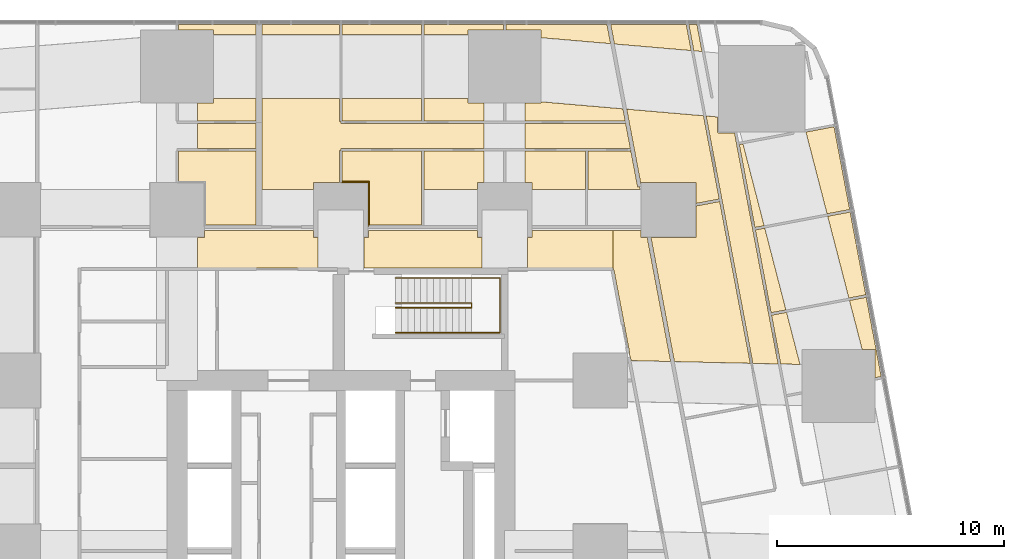
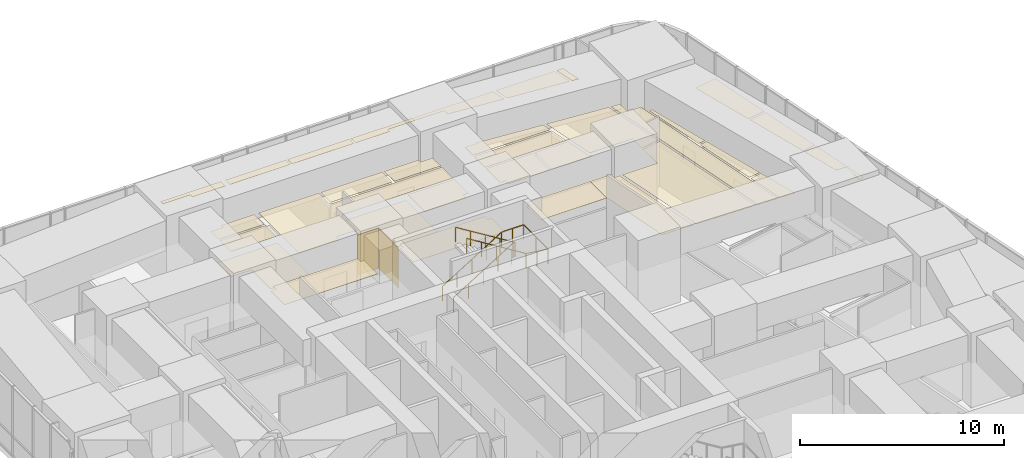
# One storey, part 23 of 23: 33 coverings, 2 railings.
"""IFC4 building model written with IfcOpenShell, lengths in metres."""

from ifc_helpers import new_model, si_unit, direction, frame, origin, origin_2d, place, context, subcontext, project, spatial, polyline, circle, outline, extrude, material, layer, layer_set, type_object, element, save


model = new_model("IFC4")

# Units and contexts
model_context = context("Model", 3, precision=1e-05, world=origin(), true_north=direction((0.0, 1.0)))
body_context = subcontext(model_context, "Body", "Model", "MODEL_VIEW")
ifc_project = project(units=[si_unit("LENGTHUNIT", "METRE"), si_unit("AREAUNIT", "SQUARE_METRE"), si_unit("VOLUMEUNIT", "CUBIC_METRE"), si_unit("PLANEANGLEUNIT", "RADIAN"), si_unit("MASSUNIT", "GRAM", prefix="KILO")], contexts=[model_context])

# Site, building, storey
site_placement = place(None, origin())
site = spatial("IfcSite", under=ifc_project, at=site_placement, CompositionType="ELEMENT")
building_placement = place(site_placement, origin())
building = spatial("IfcBuilding", under=site, at=building_placement, Name="Sheger Commons Tower", CompositionType="ELEMENT")
storey_placement = place(building_placement, frame((0.0, 0.0, 5.60009765625)))
storey = spatial("IfcBuildingStorey", under=building, at=storey_placement, Name="L01", CompositionType="ELEMENT", Elevation=5.60009765625)

# Railings
ifc_material_1 = material(Name="Steel handrail, black powder-coated", Category="steel")
railing_type = type_object("IfcRailingType", Name="HANDRAIL 900", PredefinedType="HANDRAIL", material=ifc_material_1)
railing_1_placement = place(storey_placement, frame((23.989990234375, 33.39990234375, 0.173095703125)))
element("IfcRailing", 1, at=railing_1_placement, inside=storey, type_object=railing_type, Name="Stair S2 handrail L01", PredefinedType="HANDRAIL", context=body_context, shape_type="SweptSolid", body=[
    extrude(circle(Radius=0.02392578125, at=origin_2d()), frame((0.0, 0.0, 0.8759765625), z_axis=(0.850623216509, 0.0, 0.525775754039), x_axis=(0.0, 1.0, 0.0)), (0.0, 0.0, 1.0), 3.9501953125),
    extrude(circle(Radius=0.02392578125, at=origin_2d()), frame((3.360107421875, 0.0, 2.95263671875), z_axis=(0.0, -0.756054473674, 0.654508695769), x_axis=(1.0, 0.0, 0.0)), (0.0, 0.0, 1.0), 0.264404296875),
    extrude(circle(Radius=0.02392578125, at=origin_2d()), frame((3.360107421875, -0.199951171875, 3.1259765625), z_axis=(-0.850623216509, 0.0, 0.525775754039), x_axis=(0.0, -1.0, 0.0)), (0.0, 0.0, 1.0), 3.9501953125),
    extrude(circle(Radius=0.02099609375, at=origin_2d()), origin(), (0.0, 0.0, 1.0), 0.851806640625),
    extrude(circle(Radius=0.02099609375, at=origin_2d()), frame((0.840087890625, 0.0, 0.519287109375)), (0.0, 0.0, 1.0), 0.851806640625),
    extrude(circle(Radius=0.02099609375, at=origin_2d()), frame((1.68017578125, 0.0, 1.03857421875)), (0.0, 0.0, 1.0), 0.851806640625),
    extrude(circle(Radius=0.02099609375, at=origin_2d()), frame((2.52001953125, 0.0, 1.5576171875)), (0.0, 0.0, 1.0), 0.851806640625),
    extrude(circle(Radius=0.02099609375, at=origin_2d()), frame((3.360107421875, 0.0, 2.076904296875)), (0.0, 0.0, 1.0), 0.851806640625),
    extrude(circle(Radius=0.02099609375, at=origin_2d()), frame((3.360107421875, -0.199951171875, 2.25)), (0.0, 0.0, 1.0), 0.851806640625),
    extrude(circle(Radius=0.02099609375, at=origin_2d()), frame((2.52001953125, -0.199951171875, 2.769287109375)), (0.0, 0.0, 1.0), 0.851806640625),
    extrude(circle(Radius=0.02099609375, at=origin_2d()), frame((1.68017578125, -0.199951171875, 3.28857421875)), (0.0, 0.0, 1.0), 0.851806640625),
    extrude(circle(Radius=0.02099609375, at=origin_2d()), frame((0.840087890625, -0.199951171875, 3.8076171875)), (0.0, 0.0, 1.0), 0.851806640625),
    extrude(circle(Radius=0.02099609375, at=origin_2d()), frame((0.0, -0.199951171875, 4.326904296875)), (0.0, 0.0, 1.0), 0.851806640625),
])
railing_2_placement = place(storey_placement, frame((23.989990234375, 34.5, 0.173095703125)))
element("IfcRailing", 2, at=railing_2_placement, inside=storey, type_object=railing_type, Name="Stair S2 handrail L01", PredefinedType="HANDRAIL", context=body_context, shape_type="SweptSolid", body=[
    extrude(circle(Radius=0.02392578125, at=origin_2d()), frame((0.0, 0.0, 0.8759765625), z_axis=(0.850623216509, 0.0, 0.525775754039), x_axis=(0.0, 1.0, 0.0)), (0.0, 0.0, 1.0), 3.9501953125),
    extrude(circle(Radius=0.02392578125, at=origin_2d()), frame((3.360107421875, 0.0, 2.95263671875), z_axis=(1.0, 0.0, 0.0), x_axis=(0.0, 1.0, 0.0)), (0.0, 0.0, 1.0), 1.25),
    extrude(circle(Radius=0.02392578125, at=origin_2d()), frame((4.610107421875, 0.0, 2.95263671875), z_axis=(0.0, -1.0, 0.0), x_axis=(1.0, 0.0, 0.0)), (0.0, 0.0, 1.0), 2.39990234375),
    extrude(circle(Radius=0.02392578125, at=origin_2d()), frame((4.610107421875, -2.39990234375, 2.95263671875), z_axis=(-0.990547844832, 0.0, 0.137167660544), x_axis=(0.0, -1.0, 0.0)), (0.0, 0.0, 1.0), 1.261962890625),
    extrude(circle(Radius=0.02392578125, at=origin_2d()), frame((3.360107421875, -2.39990234375, 3.1259765625), z_axis=(-0.850623216509, 0.0, 0.525775754039), x_axis=(0.0, -1.0, 0.0)), (0.0, 0.0, 1.0), 3.9501953125),
    extrude(circle(Radius=0.02099609375, at=origin_2d()), origin(), (0.0, 0.0, 1.0), 0.851806640625),
    extrude(circle(Radius=0.02099609375, at=origin_2d()), frame((0.840087890625, 0.0, 0.519287109375)), (0.0, 0.0, 1.0), 0.851806640625),
    extrude(circle(Radius=0.02099609375, at=origin_2d()), frame((1.68017578125, 0.0, 1.03857421875)), (0.0, 0.0, 1.0), 0.851806640625),
    extrude(circle(Radius=0.02099609375, at=origin_2d()), frame((2.52001953125, 0.0, 1.5576171875)), (0.0, 0.0, 1.0), 0.851806640625),
    extrude(circle(Radius=0.02099609375, at=origin_2d()), frame((3.360107421875, 0.0, 2.076904296875)), (0.0, 0.0, 1.0), 0.851806640625),
    extrude(circle(Radius=0.02099609375, at=origin_2d()), frame((3.985107421875, 0.0, 2.076904296875)), (0.0, 0.0, 1.0), 0.851806640625),
    extrude(circle(Radius=0.02099609375, at=origin_2d()), frame((4.610107421875, 0.0, 2.076904296875)), (0.0, 0.0, 1.0), 0.851806640625),
    extrude(circle(Radius=0.02099609375, at=origin_2d()), frame((4.610107421875, -1.199951171875, 2.076904296875)), (0.0, 0.0, 1.0), 0.851806640625),
    extrude(circle(Radius=0.02099609375, at=origin_2d()), frame((4.610107421875, -2.39990234375, 2.076904296875)), (0.0, 0.0, 1.0), 0.851806640625),
    extrude(circle(Radius=0.02099609375, at=origin_2d()), frame((3.985107421875, -2.39990234375, 2.16357421875)), (0.0, 0.0, 1.0), 0.851806640625),
    extrude(circle(Radius=0.02099609375, at=origin_2d()), frame((3.360107421875, -2.39990234375, 2.25)), (0.0, 0.0, 1.0), 0.851806640625),
    extrude(circle(Radius=0.02099609375, at=origin_2d()), frame((2.52001953125, -2.39990234375, 2.769287109375)), (0.0, 0.0, 1.0), 0.851806640625),
    extrude(circle(Radius=0.02099609375, at=origin_2d()), frame((1.68017578125, -2.39990234375, 3.28857421875)), (0.0, 0.0, 1.0), 0.851806640625),
    extrude(circle(Radius=0.02099609375, at=origin_2d()), frame((0.840087890625, -2.39990234375, 3.8076171875)), (0.0, 0.0, 1.0), 0.851806640625),
    extrude(circle(Radius=0.02099609375, at=origin_2d()), frame((0.0, -2.39990234375, 4.326904296875)), (0.0, 0.0, 1.0), 0.851806640625),
])

# Coverings
ifc_material_2 = material(Name="Moisture-resistant gypsum plasterboard 15 mm on a suspended galvanised steel grid", Category="steel")
ifc_layer_1 = layer(ifc_material_2, 0.014892578125)
ifc_layer_set_1 = layer_set([ifc_layer_1], Name="MOISTURE-RESISTANT CEILING 15")
covering_type_1 = type_object("IfcCoveringType", Name="MOISTURE-RESISTANT CEILING 15", PredefinedType="CEILING", material=ifc_layer_set_1)
covering_1_placement = place(storey_placement, frame((0.0, 0.0, 2.39990234375)))
element("IfcCovering", 3, at=covering_1_placement, inside=storey, type_object=covering_type_1, Name="L01-10.B1 ceiling", PredefinedType="CEILING", context=body_context, shape_type="SweptSolid", body=[
    extrude(outline(polyline([(15.60498046875, 36.830078125), (17.8701171875, 36.830078125), (17.8701171875, 40.094970703125), (14.455078125, 40.094970703125), (14.455078125, 38.705078125), (15.60498046875, 38.705078125), (15.60498046875, 36.830078125)])), origin(), (0.0, 0.0, 1.0), 0.014892578125),
])
covering_2_placement = place(storey_placement, frame((0.0, 0.0, 2.39990234375)))
element("IfcCovering", 4, at=covering_2_placement, inside=storey, type_object=covering_type_1, Name="L01-11.B1 ceiling", PredefinedType="CEILING", context=body_context, shape_type="SweptSolid", body=[
    extrude(outline(polyline([(22.804931640625, 36.830078125), (25.14501953125, 36.830078125), (25.14501953125, 40.094970703125), (21.655029296875, 40.094970703125), (21.655029296875, 38.705078125), (22.804931640625, 38.705078125), (22.804931640625, 36.830078125)])), origin(), (0.0, 0.0, 1.0), 0.014892578125),
])
ifc_material_3 = material(Name="Gypsum plasterboard 15 mm on a suspended steel grid", Category="steel")
ifc_layer_2 = layer(ifc_material_3, 0.014892578125)
ifc_layer_set_2 = layer_set([ifc_layer_2], Name="SUSPENDED CEILING 15")
covering_type_2 = type_object("IfcCoveringType", Name="SUSPENDED CEILING 15", PredefinedType="CEILING", material=ifc_layer_set_2)
covering_3_placement = place(storey_placement, frame((0.0, 0.0, 2.699951171875)))
element("IfcCovering", 5, at=covering_3_placement, inside=storey, type_object=covering_type_2, Name="L01-07.1 ceiling", PredefinedType="CEILING", context=body_context, shape_type="SweptSolid", body=[
    extrude(outline(polyline([(40.824951171875, 30.72802734375), (38.907958984375, 40.8798828125), (38.201904296875, 40.8798828125), (38.174072265625, 40.887939453125), (38.156005859375, 40.910888671875), (38.154052734375, 41.5869140625), (37.656982421875, 41.6298828125), (39.7109375, 30.7529296875), (40.824951171875, 30.72802734375)])), origin(), (0.0, 0.0, 1.0), 0.014892578125),
])
covering_4_placement = place(storey_placement, frame((0.0, 0.0, 2.699951171875)))
element("IfcCovering", 6, at=covering_4_placement, inside=storey, type_object=covering_type_2, Name="L01-07.1 ceiling", PredefinedType="CEILING", context=body_context, shape_type="SweptSolid", body=[
    extrude(outline(polyline([(37.47802734375, 44.465087890625), (37.2548828125, 45.64501953125), (36.89892578125, 45.64501953125), (37.115966796875, 44.49609375), (37.47802734375, 44.465087890625)])), origin(), (0.0, 0.0, 1.0), 0.014892578125),
])
covering_5_placement = place(storey_placement, frame((0.0, 0.0, 2.699951171875)))
element("IfcCovering", 7, at=covering_5_placement, inside=storey, type_object=covering_type_2, Name="L01-07.3 ceiling", PredefinedType="CEILING", context=body_context, shape_type="SweptSolid", body=[
    extrude(outline(polyline([(45.0849609375, 30.123046875), (45.35693359375, 30.174072265625), (44.966064453125, 32.24609375), (44.9599609375, 32.24609375), (44.9599609375, 32.27392578125), (44.698974609375, 33.657958984375), (43.9599609375, 33.51904296875), (44.51611328125, 31.367919921875), (45.0849609375, 31.367919921875), (45.0849609375, 30.123046875)])), origin(), (0.0, 0.0, 1.0), 0.014892578125),
])
covering_6_placement = place(storey_placement, frame((0.0, 0.0, 2.699951171875)))
element("IfcCovering", 8, at=covering_6_placement, inside=storey, type_object=covering_type_2, Name="L01-07.3 ceiling", PredefinedType="CEILING", context=body_context, shape_type="SweptSolid", body=[
    extrude(outline(polyline([(41.784912109375, 30.70703125), (41.193115234375, 32.99609375), (40.532958984375, 32.87109375), (40.93798828125, 30.72607421875), (41.784912109375, 30.70703125)])), origin(), (0.0, 0.0, 1.0), 0.014892578125),
])
covering_7_placement = place(storey_placement, frame((0.0, 0.0, 2.699951171875)))
element("IfcCovering", 9, at=covering_7_placement, inside=storey, type_object=covering_type_2, Name="L01-07.4 ceiling", PredefinedType="CEILING", context=body_context, shape_type="SweptSolid", body=[
    extrude(outline(polyline([(40.511962890625, 32.97900390625), (41.166015625, 33.10205078125), (40.236083984375, 36.698974609375), (39.823974609375, 36.62109375), (40.511962890625, 32.97900390625)])), origin(), (0.0, 0.0, 1.0), 0.014892578125),
])
covering_8_placement = place(storey_placement, frame((0.0, 0.0, 2.699951171875)))
element("IfcCovering", 10, at=covering_8_placement, inside=storey, type_object=covering_type_2, Name="L01-07.4 ceiling", PredefinedType="CEILING", context=body_context, shape_type="SweptSolid", body=[
    extrude(outline(polyline([(43.93310546875, 33.625), (44.678955078125, 33.76611328125), (44.26708984375, 35.944091796875), (44.261962890625, 35.944091796875), (44.261962890625, 35.971923828125), (43.990966796875, 37.407958984375), (43.0029296875, 37.221923828125), (43.93310546875, 33.625)])), origin(), (0.0, 0.0, 1.0), 0.014892578125),
])
covering_9_placement = place(storey_placement, frame((0.0, 0.0, 2.699951171875)))
element("IfcCovering", 11, at=covering_9_placement, inside=storey, type_object=covering_type_2, Name="L01-07.5 ceiling", PredefinedType="CEILING", context=body_context, shape_type="SweptSolid", body=[
    extrude(outline(polyline([(39.803955078125, 36.72900390625), (40.2080078125, 36.804931640625), (39.279052734375, 40.402099609375), (39.115966796875, 40.37109375), (39.803955078125, 36.72900390625)])), origin(), (0.0, 0.0, 1.0), 0.014892578125),
])
covering_10_placement = place(storey_placement, frame((0.0, 0.0, 2.699951171875)))
element("IfcCovering", 12, at=covering_10_placement, inside=storey, type_object=covering_type_2, Name="L01-07.5 ceiling", PredefinedType="CEILING", context=body_context, shape_type="SweptSolid", body=[
    extrude(outline(polyline([(42.97509765625, 37.327880859375), (43.969970703125, 37.51611328125), (43.569091796875, 39.64208984375), (43.56396484375, 39.64208984375), (43.56396484375, 39.6689453125), (43.281982421875, 41.156982421875), (42.049072265625, 40.924072265625), (42.048095703125, 40.9150390625), (42.97509765625, 37.327880859375)])), origin(), (0.0, 0.0, 1.0), 0.014892578125),
])
covering_11_placement = place(storey_placement, frame((0.0, 0.0, 2.699951171875)))
element("IfcCovering", 13, at=covering_11_placement, inside=storey, type_object=covering_type_2, Name="L01-07.B2 ceiling", PredefinedType="CEILING", context=body_context, shape_type="SweptSolid", body=[
    extrude(outline(polyline([(39.59912109375, 30.756103515625), (38.2548828125, 37.8701171875), (37.215087890625, 37.674072265625), (37.20703125, 37.717041015625), (37.205078125, 37.717041015625), (37.205078125, 36.294921875), (35.23095703125, 36.294921875), (36.261962890625, 30.8310546875), (39.59912109375, 30.756103515625)])), origin(), (0.0, 0.0, 1.0), 0.014892578125),
])
covering_12_placement = place(storey_placement, frame((0.0, 0.0, 2.699951171875)))
element("IfcCovering", 14, at=covering_12_placement, inside=storey, type_object=covering_type_2, Name="L01-07.B4 ceiling", PredefinedType="CEILING", context=body_context, shape_type="SweptSolid", body=[
    extrude(outline(polyline([(37.205078125, 37.783935546875), (38.235107421875, 37.97802734375), (37.54296875, 41.638916015625), (34.166015625, 41.928955078125), (34.79296875, 38.610107421875), (34.794921875, 38.610107421875), (34.794921875, 38.705078125), (37.205078125, 38.705078125), (37.205078125, 37.783935546875)])), origin(), (0.0, 0.0, 1.0), 0.014892578125),
])
covering_13_placement = place(storey_placement, frame((0.0, 0.0, 2.699951171875)))
element("IfcCovering", 15, at=covering_13_placement, inside=storey, type_object=covering_type_2, Name="L01-07.B4 ceiling", PredefinedType="CEILING", context=body_context, shape_type="SweptSolid", body=[
    extrude(outline(polyline([(37.001953125, 44.506103515625), (36.787109375, 45.64501953125), (33.464111328125, 45.64501953125), (33.625, 44.7958984375), (37.001953125, 44.506103515625)])), origin(), (0.0, 0.0, 1.0), 0.014892578125),
])
covering_14_placement = place(storey_placement, frame((0.0, 0.0, 2.699951171875)))
element("IfcCovering", 16, at=covering_14_placement, inside=storey, type_object=covering_type_2, Name="L01-10.1 ceiling", PredefinedType="CEILING", context=body_context, shape_type="SweptSolid", body=[
    extrude(outline(polyline([(15.304931640625, 40.205078125), (17.8701171875, 40.205078125), (17.8701171875, 41.294921875), (15.304931640625, 41.294921875), (15.304931640625, 40.205078125)])), origin(), (0.0, 0.0, 1.0), 0.014892578125),
])
covering_15_placement = place(storey_placement, frame((0.0, 0.0, 2.699951171875)))
element("IfcCovering", 17, at=covering_15_placement, inside=storey, type_object=covering_type_2, Name="L01-10.2 ceiling", PredefinedType="CEILING", context=body_context, shape_type="SweptSolid", body=[
    extrude(outline(polyline([(15.304931640625, 41.405029296875), (17.8701171875, 41.405029296875), (17.8701171875, 42.39501953125), (16.0048828125, 42.39501953125), (16.0048828125, 42.195068359375), (15.304931640625, 42.195068359375), (15.304931640625, 41.405029296875)])), origin(), (0.0, 0.0, 1.0), 0.014892578125),
])
covering_16_placement = place(storey_placement, frame((0.0, 0.0, 2.699951171875)))
element("IfcCovering", 18, at=covering_16_placement, inside=storey, type_object=covering_type_2, Name="L01-10.2 ceiling", PredefinedType="CEILING", context=body_context, shape_type="SweptSolid", body=[
    extrude(outline(polyline([(16.0048828125, 45.205078125), (17.8701171875, 45.205078125), (17.8701171875, 45.64501953125), (14.455078125, 45.64501953125), (14.455078125, 45.405029296875), (16.0048828125, 45.405029296875), (16.0048828125, 45.205078125)])), origin(), (0.0, 0.0, 1.0), 0.014892578125),
])
covering_17_placement = place(storey_placement, frame((0.0, 0.0, 2.699951171875)))
element("IfcCovering", 19, at=covering_17_placement, inside=storey, type_object=covering_type_2, Name="L01-11.1 ceiling", PredefinedType="CEILING", context=body_context, shape_type="SweptSolid", body=[
    extrude(outline(polyline([(18.1298828125, 38.405029296875), (20.39501953125, 38.405029296875), (20.39501953125, 38.705078125), (21.544921875, 38.705078125), (21.544921875, 40.10498046875), (21.594970703125, 40.10498046875), (21.594970703125, 40.205078125), (27.89501953125, 40.205078125), (27.89501953125, 41.294921875), (21.594970703125, 41.294921875), (21.594970703125, 41.39501953125), (21.544921875, 41.39501953125), (21.544921875, 42.39501953125), (18.1298828125, 42.39501953125), (18.1298828125, 38.405029296875)])), origin(), (0.0, 0.0, 1.0), 0.014892578125),
])
covering_18_placement = place(storey_placement, frame((0.0, 0.0, 2.699951171875)))
element("IfcCovering", 20, at=covering_18_placement, inside=storey, type_object=covering_type_2, Name="L01-11.1 ceiling", PredefinedType="CEILING", context=body_context, shape_type="SweptSolid", body=[
    extrude(outline(polyline([(29.705078125, 40.205078125), (34.3291015625, 40.205078125), (34.114990234375, 41.3369140625), (34.113037109375, 41.3359375), (34.113037109375, 41.294921875), (29.705078125, 41.294921875), (29.705078125, 40.205078125)])), origin(), (0.0, 0.0, 1.0), 0.014892578125),
])
covering_19_placement = place(storey_placement, frame((0.0, 0.0, 2.699951171875)))
element("IfcCovering", 21, at=covering_19_placement, inside=storey, type_object=covering_type_2, Name="L01-11.1 ceiling", PredefinedType="CEILING", context=body_context, shape_type="SweptSolid", body=[
    extrude(outline(polyline([(18.1298828125, 45.205078125), (21.544921875, 45.205078125), (21.544921875, 45.64501953125), (18.1298828125, 45.64501953125), (18.1298828125, 45.205078125)])), origin(), (0.0, 0.0, 1.0), 0.014892578125),
])
covering_20_placement = place(storey_placement, frame((0.0, 0.0, 2.699951171875)))
element("IfcCovering", 22, at=covering_20_placement, inside=storey, type_object=covering_type_2, Name="L01-11.2 ceiling", PredefinedType="CEILING", context=body_context, shape_type="SweptSolid", body=[
    extrude(outline(polyline([(21.655029296875, 41.405029296875), (25.14501953125, 41.405029296875), (25.14501953125, 42.39501953125), (21.655029296875, 42.39501953125), (21.655029296875, 41.405029296875)])), origin(), (0.0, 0.0, 1.0), 0.014892578125),
])
covering_21_placement = place(storey_placement, frame((0.0, 0.0, 2.699951171875)))
element("IfcCovering", 23, at=covering_21_placement, inside=storey, type_object=covering_type_2, Name="L01-11.2 ceiling", PredefinedType="CEILING", context=body_context, shape_type="SweptSolid", body=[
    extrude(outline(polyline([(21.655029296875, 45.205078125), (25.14501953125, 45.205078125), (25.14501953125, 45.64501953125), (21.655029296875, 45.64501953125), (21.655029296875, 45.205078125)])), origin(), (0.0, 0.0, 1.0), 0.014892578125),
])
covering_22_placement = place(storey_placement, frame((0.0, 0.0, 2.699951171875)))
element("IfcCovering", 24, at=covering_22_placement, inside=storey, type_object=covering_type_2, Name="L01-11.3 ceiling", PredefinedType="CEILING", context=body_context, shape_type="SweptSolid", body=[
    extrude(outline(polyline([(25.2548828125, 41.405029296875), (27.89501953125, 41.405029296875), (27.89501953125, 42.195068359375), (27.195068359375, 42.195068359375), (27.195068359375, 42.39501953125), (25.2548828125, 42.39501953125), (25.2548828125, 41.405029296875)])), origin(), (0.0, 0.0, 1.0), 0.014892578125),
])
covering_23_placement = place(storey_placement, frame((0.0, 0.0, 2.699951171875)))
element("IfcCovering", 25, at=covering_23_placement, inside=storey, type_object=covering_type_2, Name="L01-11.3 ceiling", PredefinedType="CEILING", context=body_context, shape_type="SweptSolid", body=[
    extrude(outline(polyline([(25.2548828125, 45.205078125), (27.195068359375, 45.205078125), (27.195068359375, 45.405029296875), (28.7451171875, 45.405029296875), (28.7451171875, 45.64501953125), (25.2548828125, 45.64501953125), (25.2548828125, 45.205078125)])), origin(), (0.0, 0.0, 1.0), 0.014892578125),
])
covering_24_placement = place(storey_placement, frame((0.0, 0.0, 2.699951171875)))
element("IfcCovering", 26, at=covering_24_placement, inside=storey, type_object=covering_type_2, Name="L01-11.4 ceiling", PredefinedType="CEILING", context=body_context, shape_type="SweptSolid", body=[
    extrude(outline(polyline([(29.705078125, 41.405029296875), (34.10205078125, 41.405029296875), (34.0009765625, 41.943115234375), (30.405029296875, 42.251953125), (30.405029296875, 42.195068359375), (29.705078125, 42.195068359375), (29.705078125, 41.405029296875)])), origin(), (0.0, 0.0, 1.0), 0.014892578125),
])
covering_25_placement = place(storey_placement, frame((0.0, 0.0, 2.699951171875)))
element("IfcCovering", 27, at=covering_25_placement, inside=storey, type_object=covering_type_2, Name="L01-11.4 ceiling", PredefinedType="CEILING", context=body_context, shape_type="SweptSolid", body=[
    extrude(outline(polyline([(33.458984375, 44.81005859375), (33.302001953125, 45.639892578125), (33.31689453125, 45.64306640625), (33.31689453125, 45.64501953125), (28.85498046875, 45.64501953125), (28.85498046875, 45.405029296875), (30.405029296875, 45.405029296875), (30.405029296875, 45.072021484375), (33.458984375, 44.81005859375)])), origin(), (0.0, 0.0, 1.0), 0.014892578125),
])
covering_26_placement = place(storey_placement, frame((0.0, 0.0, 2.699951171875)))
element("IfcCovering", 28, at=covering_26_placement, inside=storey, type_object=covering_type_2, Name="L01-11.B2 ceiling", PredefinedType="CEILING", context=body_context, shape_type="SweptSolid", body=[
    extrude(outline(polyline([(25.2548828125, 38.405029296875), (27.594970703125, 38.405029296875), (27.594970703125, 38.705078125), (27.89501953125, 38.705078125), (27.89501953125, 40.094970703125), (25.2548828125, 40.094970703125), (25.2548828125, 38.405029296875)])), origin(), (0.0, 0.0, 1.0), 0.014892578125),
])
covering_27_placement = place(storey_placement, frame((0.0, 0.0, 2.699951171875)))
element("IfcCovering", 29, at=covering_27_placement, inside=storey, type_object=covering_type_2, Name="L01-11.B3 ceiling", PredefinedType="CEILING", context=body_context, shape_type="SweptSolid", body=[
    extrude(outline(polyline([(30.0048828125, 38.405029296875), (32.344970703125, 38.405029296875), (32.344970703125, 40.094970703125), (29.705078125, 40.094970703125), (29.705078125, 38.705078125), (30.0048828125, 38.705078125), (30.0048828125, 38.405029296875)])), origin(), (0.0, 0.0, 1.0), 0.014892578125),
])
covering_28_placement = place(storey_placement, frame((0.0, 0.0, 2.699951171875)))
element("IfcCovering", 30, at=covering_28_placement, inside=storey, type_object=covering_type_2, Name="L01-11.B4 ceiling", PredefinedType="CEILING", context=body_context, shape_type="SweptSolid", body=[
    extrude(outline(polyline([(32.455078125, 38.405029296875), (34.75, 38.405029296875), (34.72607421875, 38.528076171875), (34.64794921875, 38.512939453125), (34.342041015625, 40.135009765625), (34.340087890625, 40.134033203125), (34.340087890625, 40.094970703125), (32.455078125, 40.094970703125), (32.455078125, 38.405029296875)])), origin(), (0.0, 0.0, 1.0), 0.014892578125),
])
covering_29_placement = place(storey_placement, frame((0.0, 0.0, 2.699951171875)))
element("IfcCovering", 31, at=covering_29_placement, inside=storey, type_object=covering_type_2, Name="L01-CO ceiling", PredefinedType="CEILING", context=body_context, shape_type="SweptSolid", body=[
    extrude(outline(polyline([(36.09912109375, 30.8349609375), (35.071044921875, 36.27490234375), (35.14892578125, 36.2900390625), (35.14794921875, 36.294921875), (34.794921875, 36.294921875), (34.794921875, 36.594970703125), (33.572998046875, 36.594970703125), (33.572998046875, 34.947998046875), (33.571044921875, 34.947998046875), (33.589111328125, 34.85205078125), (33.60595703125, 34.85498046875), (34.29296875, 31.220947265625), (34.27587890625, 31.217041015625), (34.31005859375, 31.037109375), (34.326904296875, 31.0400390625), (34.35888671875, 30.875), (36.09912109375, 30.8349609375)])), origin(), (0.0, 0.0, 1.0), 0.014892578125),
])
covering_30_placement = place(storey_placement, frame((0.0, 0.0, 2.699951171875)))
element("IfcCovering", 32, at=covering_30_placement, inside=storey, type_object=covering_type_2, Name="L01-CO ceiling", PredefinedType="CEILING", context=body_context, shape_type="SweptSolid", body=[
    extrude(outline(polyline([(15.304931640625, 34.949951171875), (20.594970703125, 34.949951171875), (20.594970703125, 36.294921875), (20.39501953125, 36.294921875), (20.39501953125, 36.594970703125), (15.60498046875, 36.594970703125), (15.60498046875, 36.294921875), (15.304931640625, 36.294921875), (15.304931640625, 34.949951171875)])), origin(), (0.0, 0.0, 1.0), 0.014892578125),
])
covering_31_placement = place(storey_placement, frame((0.0, 0.0, 2.699951171875)))
element("IfcCovering", 33, at=covering_31_placement, inside=storey, type_object=covering_type_2, Name="L01-CO ceiling", PredefinedType="CEILING", context=body_context, shape_type="SweptSolid", body=[
    extrude(outline(polyline([(22.60498046875, 34.949951171875), (27.794921875, 34.949951171875), (27.794921875, 36.294921875), (27.594970703125, 36.294921875), (27.594970703125, 36.594970703125), (22.804931640625, 36.594970703125), (22.804931640625, 36.294921875), (22.60498046875, 36.294921875), (22.60498046875, 34.949951171875)])), origin(), (0.0, 0.0, 1.0), 0.014892578125),
])
covering_32_placement = place(storey_placement, frame((0.0, 0.0, 2.699951171875)))
element("IfcCovering", 34, at=covering_32_placement, inside=storey, type_object=covering_type_2, Name="L01-CO ceiling", PredefinedType="CEILING", context=body_context, shape_type="SweptSolid", body=[
    extrude(outline(polyline([(29.804931640625, 34.949951171875), (33.568115234375, 34.949951171875), (33.568115234375, 36.594970703125), (30.0048828125, 36.594970703125), (30.0048828125, 36.294921875), (29.804931640625, 36.294921875), (29.804931640625, 34.949951171875)])), origin(), (0.0, 0.0, 1.0), 0.014892578125),
])
ifc_material_4 = material(Name="Moisture-resistant gypsum board 12.5 mm on 25 mm treated timber battens, tanked and tiled", Category="wood")
ifc_layer_3 = layer(ifc_material_4, 0.050048828125)
ifc_layer_set_3 = layer_set([ifc_layer_3], Name="WET-ROOM COLUMN LINING")
covering_type_3 = type_object("IfcCoveringType", Name="WET-ROOM COLUMN LINING", PredefinedType="CLADDING", material=ifc_layer_set_3)
covering_33_placement = place(storey_placement, origin())
element("IfcCovering", 35, at=covering_33_placement, inside=storey, type_object=covering_type_3, Name="Patient WC column lining C5 L01", PredefinedType="CLADDING", context=body_context, shape_type="SweptSolid", body=[
    extrude(outline(polyline([(22.85009765625, 36.824951171875), (22.801025390625, 36.824951171875), (22.801025390625, 36.75), (22.800048828125, 36.75), (22.800048828125, 38.699951171875), (21.60009765625, 38.699951171875), (21.60009765625, 38.700927734375), (21.64990234375, 38.700927734375), (21.64990234375, 38.75), (22.85009765625, 38.75), (22.85009765625, 36.824951171875)])), origin(), (0.0, 0.0, 1.0), 2.39990234375),
])

save(model, "model.ifc")
